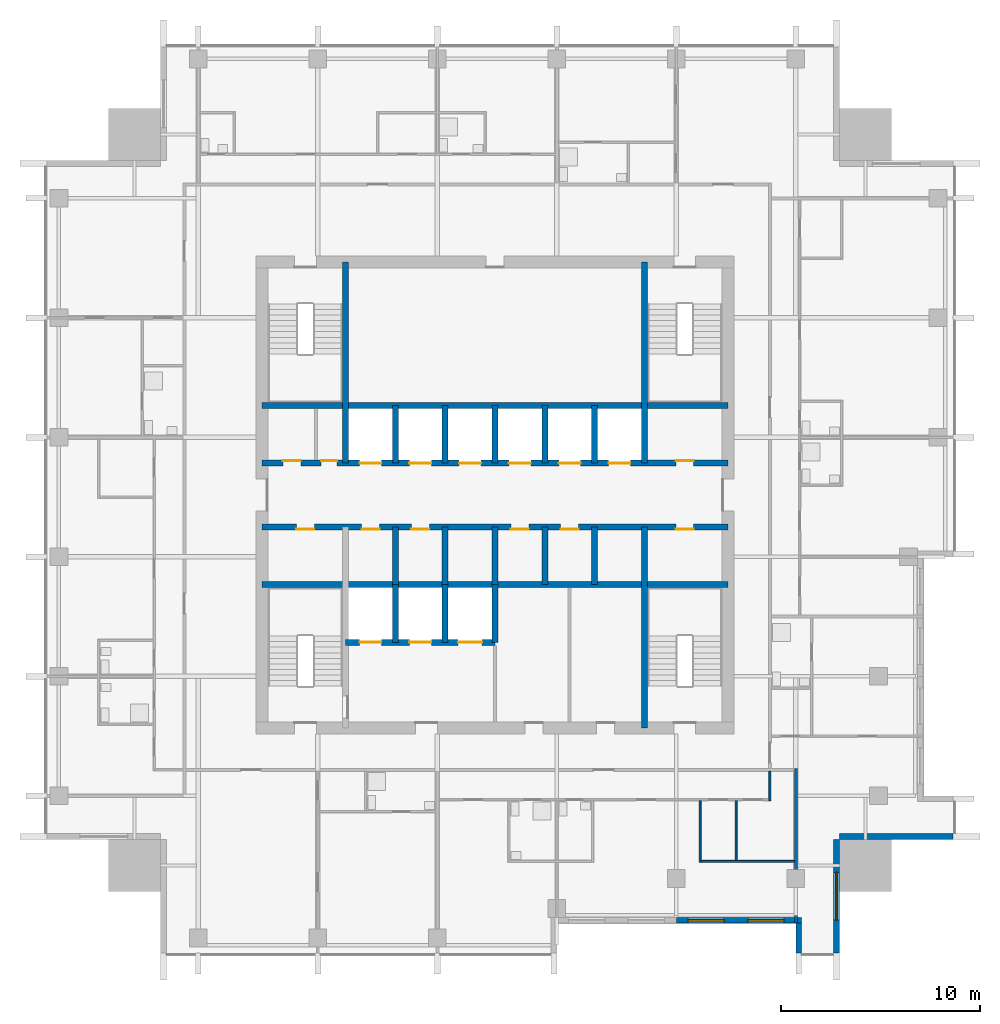
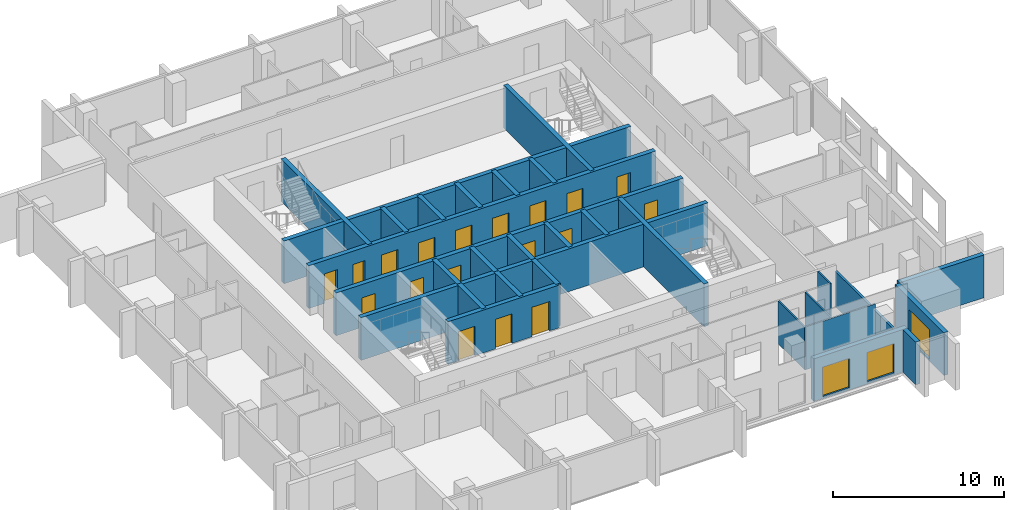
# One storey, part 5 of 11: 30 walls, 18 doors, 3 windows, 21 openings.
"""IFC4 building model written with IfcOpenShell, lengths in metres."""

from ifc_helpers import new_model, si_unit, direction, frame, frame_2d, origin, place, context, subcontext, project, spatial, rectangle, extrude, material, layer, layer_set, type_object, element, fill, save


model = new_model("IFC4")

# Units and contexts
model_context = context("Model", 3, precision=1e-05, world=origin(), true_north=direction((0.0, 1.0)))
body_context = subcontext(model_context, "Body", "Model", "MODEL_VIEW")
ifc_project = project(units=[si_unit("LENGTHUNIT", "METRE"), si_unit("AREAUNIT", "SQUARE_METRE"), si_unit("VOLUMEUNIT", "CUBIC_METRE"), si_unit("PLANEANGLEUNIT", "RADIAN"), si_unit("MASSUNIT", "GRAM", prefix="KILO")], contexts=[model_context])

# Site, building, storey
site_placement = place(None, origin())
site = spatial("IfcSite", under=ifc_project, at=site_placement, CompositionType="ELEMENT")
building_placement = place(site_placement, origin())
building = spatial("IfcBuilding", under=site, at=building_placement, Name="Amberfall Residences", CompositionType="ELEMENT")
storey_placement = place(building_placement, frame((0.0, 0.0, 223.300048828125)))
storey = spatial("IfcBuildingStorey", under=building, at=storey_placement, Name="L60", CompositionType="ELEMENT", Elevation=223.300048828125)

# Wall
ifc_material_1 = material(Name="Pale stone cladding on insulated backing", Category="masonry")
ifc_layer_1 = layer(ifc_material_1, 0.300048828125)
ifc_layer_set_1 = layer_set([ifc_layer_1], Name="Bronze clad wall 300")
wall_type_1 = type_object("IfcWallType", Name="Bronze clad wall 300", PredefinedType="SOLIDWALL", material=ifc_layer_set_1)
wall_1_placement = place(storey_placement, frame((89.75, 24.0, 0.0), z_axis=(0.0, 0.0, 1.0), x_axis=(0.0, -1.0, 0.0)))
element("IfcWall", 1, at=wall_1_placement, inside=storey, type_object=wall_type_1, Name="External wall L60 S", PredefinedType="SOLIDWALL", context=body_context, shape_type="SweptSolid", body=[
    extrude(rectangle(XDim=1.5, YDim=0.300048828125, at=frame_2d((0.75, 0.0))), origin(), (0.0, 0.0, 1.0), 3.050048828125),
])

# Wall, opening, window
wall_2_placement = place(storey_placement, frame((91.64990234375, 22.5, 0.0), z_axis=(0.0, 0.0, 1.0), x_axis=(0.0, 1.0, 0.0)))
wall_2 = element("IfcWall", 2, at=wall_2_placement, inside=storey, type_object=wall_type_1, Name="External wall L60 SE", PredefinedType="SOLIDWALL", context=body_context, shape_type="SweptSolid", body=[
    extrude(rectangle(XDim=5.699951171875, YDim=0.300048828125, at=frame_2d((2.85009765625, 0.0))), origin(), (0.0, 0.0, 1.0), 3.050048828125),
])
opening_1_placement = place(wall_2_placement, frame((1.64990234375, 0.0, 0.14990234375)))
opening_1 = element("IfcOpeningElement", 3, at=opening_1_placement, cuts=wall_2, Name="Opening WN5", PredefinedType="OPENING", context=body_context, shape_type="SweptSolid", body=[
    extrude(rectangle(XDim=2.39990234375, YDim=2.10009765625, at=frame_2d((1.199951171875, 1.050048828125))), frame((0.0, 0.159912109375, 0.0), z_axis=(0.0, -1.0, 0.0), x_axis=(1.0, 0.0, 0.0)), (0.0, 0.0, 1.0), 0.320068359375),
])
ifc_material_2 = material(Name="Bronze aluminium framed glazing", Category="aluminium")
window_type_1 = type_object("IfcWindowType", Name="Glazed opening 2400 x 2100 bronze", PartitioningType="DOUBLE_PANEL_VERTICAL", PredefinedType="WINDOW", material=ifc_material_2)
window_1_placement = place(opening_1_placement, origin())
window_1 = element("IfcWindow", 4, at=window_1_placement, inside=storey, type_object=window_type_1, Name="Window L60 SE", OverallHeight=2.10009765625, OverallWidth=2.39990234375, PartitioningType="DOUBLE_PANEL_VERTICAL", PredefinedType="WINDOW", context=body_context, shape_type="SweptSolid", body=[
    extrude(rectangle(XDim=2.39990234375, YDim=2.10009765625, at=frame_2d((1.199951171875, 1.050048828125))), frame((0.0, 0.030029296875, 0.0), z_axis=(0.0, -1.0, 0.0), x_axis=(1.0, 0.0, 0.0)), (0.0, 0.0, 1.0), 0.06005859375),
])
fill(opening_1, window_1)

# Wall
wall_3_placement = place(storey_placement, frame((91.800048828125, 28.35009765625, 0.0), z_axis=(0.0, 0.0, 1.0), x_axis=(1.0, 0.0, 0.0)))
element("IfcWall", 5, at=wall_3_placement, inside=storey, type_object=wall_type_1, Name="External wall L60 SE", PredefinedType="SOLIDWALL", context=body_context, shape_type="SweptSolid", body=[
    extrude(rectangle(XDim=5.699951171875, YDim=0.300048828125, at=frame_2d((2.85009765625, 0.0))), origin(), (0.0, 0.0, 1.0), 3.050048828125),
])

# Wall, openings, windows
wall_4_placement = place(storey_placement, frame((83.60009765625, 24.14990234375, 0.0), z_axis=(0.0, 0.0, 1.0), x_axis=(1.0, 0.0, 0.0)))
wall_4 = element("IfcWall", 6, at=wall_4_placement, inside=storey, type_object=wall_type_1, Name="Stone wall L60 S", PredefinedType="SOLIDWALL", context=body_context, shape_type="SweptSolid", body=[
    extrude(rectangle(XDim=6.2998046875, YDim=0.300048828125, at=frame_2d((3.14990234375, 0.0))), origin(), (0.0, 0.0, 1.0), 3.050048828125),
])
opening_2_placement = place(wall_4_placement, frame((0.60009765625, 0.0, 0.14990234375)))
opening_2 = element("IfcOpeningElement", 7, at=opening_2_placement, cuts=wall_4, Name="Opening WN6", PredefinedType="OPENING", context=body_context, shape_type="SweptSolid", body=[
    extrude(rectangle(XDim=1.800048828125, YDim=2.10009765625, at=frame_2d((0.89990234375, 1.050048828125))), frame((0.0, 0.159912109375, 0.0), z_axis=(0.0, -1.0, 0.0), x_axis=(1.0, 0.0, 0.0)), (0.0, 0.0, 1.0), 0.320068359375),
])
opening_3_placement = place(wall_4_placement, frame((3.60009765625, 0.0, 0.14990234375)))
opening_3 = element("IfcOpeningElement", 8, at=opening_3_placement, cuts=wall_4, Name="Opening WN6", PredefinedType="OPENING", context=body_context, shape_type="SweptSolid", body=[
    extrude(rectangle(XDim=1.800048828125, YDim=2.10009765625, at=frame_2d((0.89990234375, 1.050048828125))), frame((0.0, 0.159912109375, 0.0), z_axis=(0.0, -1.0, 0.0), x_axis=(1.0, 0.0, 0.0)), (0.0, 0.0, 1.0), 0.320068359375),
])
window_type_2 = type_object("IfcWindowType", Name="Glazed opening 1800 x 2100 bronze", PartitioningType="DOUBLE_PANEL_VERTICAL", PredefinedType="WINDOW", material=ifc_material_2)
window_2_placement = place(opening_2_placement, origin())
window_2 = element("IfcWindow", 9, at=window_2_placement, inside=storey, type_object=window_type_2, Name="Window L60 S", OverallHeight=2.10009765625, OverallWidth=1.800048828125, PartitioningType="DOUBLE_PANEL_VERTICAL", PredefinedType="WINDOW", context=body_context, shape_type="SweptSolid", body=[
    extrude(rectangle(XDim=1.800048828125, YDim=2.10009765625, at=frame_2d((0.89990234375, 1.050048828125))), frame((0.0, 0.030029296875, 0.0), z_axis=(0.0, -1.0, 0.0), x_axis=(1.0, 0.0, 0.0)), (0.0, 0.0, 1.0), 0.06005859375),
])
fill(opening_2, window_2)
window_3_placement = place(opening_3_placement, origin())
window_3 = element("IfcWindow", 10, at=window_3_placement, inside=storey, type_object=window_type_2, Name="Window L60 S", OverallHeight=2.10009765625, OverallWidth=1.800048828125, PartitioningType="DOUBLE_PANEL_VERTICAL", PredefinedType="WINDOW", context=body_context, shape_type="SweptSolid", body=[
    extrude(rectangle(XDim=1.800048828125, YDim=2.10009765625, at=frame_2d((0.89990234375, 1.050048828125))), frame((0.0, 0.030029296875, 0.0), z_axis=(0.0, -1.0, 0.0), x_axis=(1.0, 0.0, 0.0)), (0.0, 0.0, 1.0), 0.06005859375),
])
fill(opening_3, window_3)

# Wall
ifc_material_3 = material(Name="Concrete C55", Category="concrete")
ifc_layer_2 = layer(ifc_material_3, 0.300048828125)
ifc_layer_set_2 = layer_set([ifc_layer_2], Name="Core wall 300 C55")
wall_type_2 = type_object("IfcWallType", Name="Core wall 300 C55", PredefinedType="SHEAR", material=ifc_layer_set_2)
wall_5_placement = place(storey_placement, frame((62.800048828125, 41.0, 0.0), z_axis=(0.0, 0.0, 1.0), x_axis=(1.0, 0.0, 0.0)))
element("IfcWall", 11, at=wall_5_placement, inside=storey, type_object=wall_type_2, Name="Core wall RW8 L60 H75", PredefinedType="SHEAR", context=body_context, shape_type="SweptSolid", body=[
    extrude(rectangle(XDim=23.39990234375, YDim=0.300048828125, at=frame_2d((11.699951171875, 0.0))), origin(), (0.0, 0.0, 1.0), 3.050048828125),
])

# Wall, openings, doors
wall_6_placement = place(storey_placement, frame((62.800048828125, 43.89990234375, 0.0), z_axis=(0.0, 0.0, 1.0), x_axis=(1.0, 0.0, 0.0)))
wall_6 = element("IfcWall", 12, at=wall_6_placement, inside=storey, type_object=wall_type_2, Name="Core wall RW8 L60 H104", PredefinedType="SHEAR", context=body_context, shape_type="SweptSolid", body=[
    extrude(rectangle(XDim=23.39990234375, YDim=0.300048828125, at=frame_2d((11.699951171875, 0.0))), origin(), (0.0, 0.0, 1.0), 3.050048828125),
])
opening_4_placement = place(wall_6_placement, frame((1.72509765625, 0.0, 0.0)))
opening_4 = element("IfcOpeningElement", 13, at=opening_4_placement, cuts=wall_6, Name="Opening RD1", PredefinedType="OPENING", context=body_context, shape_type="SweptSolid", body=[
    extrude(rectangle(XDim=0.89990234375, YDim=2.10009765625, at=frame_2d((0.449951171875, 1.050048828125))), frame((0.0, 0.159912109375, 0.0), z_axis=(0.0, -1.0, 0.0), x_axis=(1.0, 0.0, 0.0)), (0.0, 0.0, 1.0), 0.320068359375),
])
opening_5_placement = place(wall_6_placement, frame((20.77490234375, 0.0, 0.0)))
opening_5 = element("IfcOpeningElement", 14, at=opening_5_placement, cuts=wall_6, Name="Opening RD1", PredefinedType="OPENING", context=body_context, shape_type="SweptSolid", body=[
    extrude(rectangle(XDim=0.89990234375, YDim=2.10009765625, at=frame_2d((0.449951171875, 1.050048828125))), frame((0.0, 0.159912109375, 0.0), z_axis=(0.0, -1.0, 0.0), x_axis=(1.0, 0.0, 0.0)), (0.0, 0.0, 1.0), 0.320068359375),
])
opening_6_placement = place(wall_6_placement, frame((5.0, 0.0, 0.0)))
opening_6 = element("IfcOpeningElement", 15, at=opening_6_placement, cuts=wall_6, Name="Opening RD1", PredefinedType="OPENING", context=body_context, shape_type="SweptSolid", body=[
    extrude(rectangle(XDim=0.89990234375, YDim=2.10009765625, at=frame_2d((0.449951171875, 1.050048828125))), frame((0.0, 0.159912109375, 0.0), z_axis=(0.0, -1.0, 0.0), x_axis=(1.0, 0.0, 0.0)), (0.0, 0.0, 1.0), 0.320068359375),
])
opening_7_placement = place(wall_6_placement, frame((7.5, 0.0, 0.0)))
opening_7 = element("IfcOpeningElement", 16, at=opening_7_placement, cuts=wall_6, Name="Opening RD1", PredefinedType="OPENING", context=body_context, shape_type="SweptSolid", body=[
    extrude(rectangle(XDim=0.89990234375, YDim=2.10009765625, at=frame_2d((0.449951171875, 1.050048828125))), frame((0.0, 0.159912109375, 0.0), z_axis=(0.0, -1.0, 0.0), x_axis=(1.0, 0.0, 0.0)), (0.0, 0.0, 1.0), 0.320068359375),
])
opening_8_placement = place(wall_6_placement, frame((12.5, 0.0, 0.0)))
opening_8 = element("IfcOpeningElement", 17, at=opening_8_placement, cuts=wall_6, Name="Opening RD1", PredefinedType="OPENING", context=body_context, shape_type="SweptSolid", body=[
    extrude(rectangle(XDim=0.89990234375, YDim=2.10009765625, at=frame_2d((0.449951171875, 1.050048828125))), frame((0.0, 0.159912109375, 0.0), z_axis=(0.0, -1.0, 0.0), x_axis=(1.0, 0.0, 0.0)), (0.0, 0.0, 1.0), 0.320068359375),
])
opening_9_placement = place(wall_6_placement, frame((15.0, 0.0, 0.0)))
opening_9 = element("IfcOpeningElement", 18, at=opening_9_placement, cuts=wall_6, Name="Opening RD1", PredefinedType="OPENING", context=body_context, shape_type="SweptSolid", body=[
    extrude(rectangle(XDim=0.89990234375, YDim=2.10009765625, at=frame_2d((0.449951171875, 1.050048828125))), frame((0.0, 0.159912109375, 0.0), z_axis=(0.0, -1.0, 0.0), x_axis=(1.0, 0.0, 0.0)), (0.0, 0.0, 1.0), 0.320068359375),
])
ifc_material_4 = material(Name="Steel fire door set", Category="steel")
door_type_1 = type_object("IfcDoorType", Name="Service room door 900 x 2100", OperationType="SINGLE_SWING_LEFT", PredefinedType="DOOR", material=ifc_material_4)
door_1_placement = place(opening_4_placement, origin())
door_1 = element("IfcDoor", 19, at=door_1_placement, inside=storey, type_object=door_type_1, Name="RD1 L60", OperationType="SINGLE_SWING_LEFT", OverallHeight=2.10009765625, OverallWidth=0.89990234375, PredefinedType="DOOR", context=body_context, shape_type="SweptSolid", body=[
    extrude(rectangle(XDim=0.89990234375, YDim=2.10009765625, at=frame_2d((0.449951171875, 1.050048828125))), frame((0.0, -0.08740234375, 0.0), z_axis=(0.0, -1.0, 0.0), x_axis=(1.0, 0.0, 0.0)), (0.0, 0.0, 1.0), 0.050048828125),
])
fill(opening_4, door_1)
door_2_placement = place(opening_5_placement, origin())
door_2 = element("IfcDoor", 20, at=door_2_placement, inside=storey, type_object=door_type_1, Name="RD1 L60", OperationType="SINGLE_SWING_LEFT", OverallHeight=2.10009765625, OverallWidth=0.89990234375, PredefinedType="DOOR", context=body_context, shape_type="SweptSolid", body=[
    extrude(rectangle(XDim=0.89990234375, YDim=2.10009765625, at=frame_2d((0.449951171875, 1.050048828125))), frame((0.0, -0.08740234375, 0.0), z_axis=(0.0, -1.0, 0.0), x_axis=(1.0, 0.0, 0.0)), (0.0, 0.0, 1.0), 0.050048828125),
])
fill(opening_5, door_2)
door_3_placement = place(opening_6_placement, origin())
door_3 = element("IfcDoor", 21, at=door_3_placement, inside=storey, type_object=door_type_1, Name="RD1 L60", OperationType="SINGLE_SWING_RIGHT", OverallHeight=2.10009765625, OverallWidth=0.89990234375, PredefinedType="DOOR", context=body_context, shape_type="SweptSolid", body=[
    extrude(rectangle(XDim=0.89990234375, YDim=2.10009765625, at=frame_2d((0.449951171875, 1.050048828125))), frame((0.0, -0.08740234375, 0.0), z_axis=(0.0, -1.0, 0.0), x_axis=(1.0, 0.0, 0.0)), (0.0, 0.0, 1.0), 0.050048828125),
])
fill(opening_6, door_3)
door_4_placement = place(opening_7_placement, origin())
door_4 = element("IfcDoor", 22, at=door_4_placement, inside=storey, type_object=door_type_1, Name="RD1 L60", OperationType="SINGLE_SWING_LEFT", OverallHeight=2.10009765625, OverallWidth=0.89990234375, PredefinedType="DOOR", context=body_context, shape_type="SweptSolid", body=[
    extrude(rectangle(XDim=0.89990234375, YDim=2.10009765625, at=frame_2d((0.449951171875, 1.050048828125))), frame((0.0, -0.08740234375, 0.0), z_axis=(0.0, -1.0, 0.0), x_axis=(1.0, 0.0, 0.0)), (0.0, 0.0, 1.0), 0.050048828125),
])
fill(opening_7, door_4)
door_5_placement = place(opening_8_placement, origin())
door_5 = element("IfcDoor", 23, at=door_5_placement, inside=storey, type_object=door_type_1, Name="RD1 L60", OperationType="SINGLE_SWING_LEFT", OverallHeight=2.10009765625, OverallWidth=0.89990234375, PredefinedType="DOOR", context=body_context, shape_type="SweptSolid", body=[
    extrude(rectangle(XDim=0.89990234375, YDim=2.10009765625, at=frame_2d((0.449951171875, 1.050048828125))), frame((0.0, -0.08740234375, 0.0), z_axis=(0.0, -1.0, 0.0), x_axis=(1.0, 0.0, 0.0)), (0.0, 0.0, 1.0), 0.050048828125),
])
fill(opening_8, door_5)
door_6_placement = place(opening_9_placement, origin())
door_6 = element("IfcDoor", 24, at=door_6_placement, inside=storey, type_object=door_type_1, Name="RD1 L60", OperationType="SINGLE_SWING_RIGHT", OverallHeight=2.10009765625, OverallWidth=0.89990234375, PredefinedType="DOOR", context=body_context, shape_type="SweptSolid", body=[
    extrude(rectangle(XDim=0.89990234375, YDim=2.10009765625, at=frame_2d((0.449951171875, 1.050048828125))), frame((0.0, -0.08740234375, 0.0), z_axis=(0.0, -1.0, 0.0), x_axis=(1.0, 0.0, 0.0)), (0.0, 0.0, 1.0), 0.050048828125),
])
fill(opening_9, door_6)

wall_7_placement = place(storey_placement, frame((62.800048828125, 47.10009765625, 0.0), z_axis=(0.0, 0.0, 1.0), x_axis=(1.0, 0.0, 0.0)))
wall_7 = element("IfcWall", 25, at=wall_7_placement, inside=storey, type_object=wall_type_2, Name="Core wall RW8 L60 H136", PredefinedType="SHEAR", context=body_context, shape_type="SweptSolid", body=[
    extrude(rectangle(XDim=23.39990234375, YDim=0.300048828125, at=frame_2d((11.699951171875, 0.0))), origin(), (0.0, 0.0, 1.0), 3.050048828125),
])
opening_10_placement = place(wall_7_placement, frame((1.050048828125, 0.0, 0.0)))
opening_10 = element("IfcOpeningElement", 26, at=opening_10_placement, cuts=wall_7, Name="Opening RD1", PredefinedType="OPENING", context=body_context, shape_type="SweptSolid", body=[
    extrude(rectangle(XDim=0.89990234375, YDim=2.10009765625, at=frame_2d((0.449951171875, 1.050048828125))), frame((0.0, 0.159912109375, 0.0), z_axis=(0.0, -1.0, 0.0), x_axis=(1.0, 0.0, 0.0)), (0.0, 0.0, 1.0), 0.320068359375),
])
opening_11_placement = place(wall_7_placement, frame((2.97509765625, 0.0, 0.0)))
opening_11 = element("IfcOpeningElement", 27, at=opening_11_placement, cuts=wall_7, Name="Opening RD2", PredefinedType="OPENING", context=body_context, shape_type="SweptSolid", body=[
    extrude(rectangle(XDim=0.800048828125, YDim=2.10009765625, at=frame_2d((0.39990234375, 1.050048828125))), frame((0.0, 0.159912109375, 0.0), z_axis=(0.0, -1.0, 0.0), x_axis=(1.0, 0.0, 0.0)), (0.0, 0.0, 1.0), 0.320068359375),
])
opening_12_placement = place(wall_7_placement, frame((20.77490234375, 0.0, 0.0)))
opening_12 = element("IfcOpeningElement", 28, at=opening_12_placement, cuts=wall_7, Name="Opening RD1", PredefinedType="OPENING", context=body_context, shape_type="SweptSolid", body=[
    extrude(rectangle(XDim=0.89990234375, YDim=2.10009765625, at=frame_2d((0.449951171875, 1.050048828125))), frame((0.0, 0.159912109375, 0.0), z_axis=(0.0, -1.0, 0.0), x_axis=(1.0, 0.0, 0.0)), (0.0, 0.0, 1.0), 0.320068359375),
])
opening_13_placement = place(wall_7_placement, frame((4.89990234375, 0.0, 0.0)))
opening_13 = element("IfcOpeningElement", 29, at=opening_13_placement, cuts=wall_7, Name="Opening LD1", PredefinedType="OPENING", context=body_context, shape_type="SweptSolid", body=[
    extrude(rectangle(XDim=1.10009765625, YDim=2.10009765625, at=frame_2d((0.550048828125, 1.050048828125))), frame((0.0, 0.159912109375, 0.0), z_axis=(0.0, -1.0, 0.0), x_axis=(1.0, 0.0, 0.0)), (0.0, 0.0, 1.0), 0.320068359375),
])
opening_14_placement = place(wall_7_placement, frame((7.39990234375, 0.0, 0.0)))
opening_14 = element("IfcOpeningElement", 30, at=opening_14_placement, cuts=wall_7, Name="Opening LD1", PredefinedType="OPENING", context=body_context, shape_type="SweptSolid", body=[
    extrude(rectangle(XDim=1.10009765625, YDim=2.10009765625, at=frame_2d((0.550048828125, 1.050048828125))), frame((0.0, 0.159912109375, 0.0), z_axis=(0.0, -1.0, 0.0), x_axis=(1.0, 0.0, 0.0)), (0.0, 0.0, 1.0), 0.320068359375),
])
opening_15_placement = place(wall_7_placement, frame((9.89990234375, 0.0, 0.0)))
opening_15 = element("IfcOpeningElement", 31, at=opening_15_placement, cuts=wall_7, Name="Opening LD1", PredefinedType="OPENING", context=body_context, shape_type="SweptSolid", body=[
    extrude(rectangle(XDim=1.10009765625, YDim=2.10009765625, at=frame_2d((0.550048828125, 1.050048828125))), frame((0.0, 0.159912109375, 0.0), z_axis=(0.0, -1.0, 0.0), x_axis=(1.0, 0.0, 0.0)), (0.0, 0.0, 1.0), 0.320068359375),
])
opening_16_placement = place(wall_7_placement, frame((12.39990234375, 0.0, 0.0)))
opening_16 = element("IfcOpeningElement", 32, at=opening_16_placement, cuts=wall_7, Name="Opening LD1", PredefinedType="OPENING", context=body_context, shape_type="SweptSolid", body=[
    extrude(rectangle(XDim=1.10009765625, YDim=2.10009765625, at=frame_2d((0.550048828125, 1.050048828125))), frame((0.0, 0.159912109375, 0.0), z_axis=(0.0, -1.0, 0.0), x_axis=(1.0, 0.0, 0.0)), (0.0, 0.0, 1.0), 0.320068359375),
])
opening_17_placement = place(wall_7_placement, frame((14.89990234375, 0.0, 0.0)))
opening_17 = element("IfcOpeningElement", 33, at=opening_17_placement, cuts=wall_7, Name="Opening LD1", PredefinedType="OPENING", context=body_context, shape_type="SweptSolid", body=[
    extrude(rectangle(XDim=1.10009765625, YDim=2.10009765625, at=frame_2d((0.550048828125, 1.050048828125))), frame((0.0, 0.159912109375, 0.0), z_axis=(0.0, -1.0, 0.0), x_axis=(1.0, 0.0, 0.0)), (0.0, 0.0, 1.0), 0.320068359375),
])
opening_18_placement = place(wall_7_placement, frame((17.39990234375, 0.0, 0.0)))
opening_18 = element("IfcOpeningElement", 34, at=opening_18_placement, cuts=wall_7, Name="Opening LD1", PredefinedType="OPENING", context=body_context, shape_type="SweptSolid", body=[
    extrude(rectangle(XDim=1.10009765625, YDim=2.10009765625, at=frame_2d((0.550048828125, 1.050048828125))), frame((0.0, 0.159912109375, 0.0), z_axis=(0.0, -1.0, 0.0), x_axis=(1.0, 0.0, 0.0)), (0.0, 0.0, 1.0), 0.320068359375),
])
door_type_2 = type_object("IfcDoorType", Name="Lift landing door 1100 x 2100", OperationType="DOUBLE_DOOR_SLIDING", PredefinedType="DOOR", material=ifc_material_4)
door_7_placement = place(opening_13_placement, origin())
door_7 = element("IfcDoor", 35, at=door_7_placement, inside=storey, type_object=door_type_2, Name="Landing door HP1 L60", OperationType="DOUBLE_DOOR_SLIDING", OverallHeight=2.10009765625, OverallWidth=1.10009765625, PredefinedType="DOOR", context=body_context, shape_type="SweptSolid", body=[
    extrude(rectangle(XDim=1.10009765625, YDim=2.10009765625, at=frame_2d((0.550048828125, 1.050048828125))), frame((0.0, 0.02490234375, 0.0), z_axis=(0.0, -1.0, 0.0), x_axis=(1.0, 0.0, 0.0)), (0.0, 0.0, 1.0), 0.050048828125),
])
fill(opening_13, door_7)
door_8_placement = place(opening_14_placement, origin())
door_8 = element("IfcDoor", 36, at=door_8_placement, inside=storey, type_object=door_type_2, Name="Landing door HP2 L60", OperationType="DOUBLE_DOOR_SLIDING", OverallHeight=2.10009765625, OverallWidth=1.10009765625, PredefinedType="DOOR", context=body_context, shape_type="SweptSolid", body=[
    extrude(rectangle(XDim=1.10009765625, YDim=2.10009765625, at=frame_2d((0.550048828125, 1.050048828125))), frame((0.0, 0.02490234375, 0.0), z_axis=(0.0, -1.0, 0.0), x_axis=(1.0, 0.0, 0.0)), (0.0, 0.0, 1.0), 0.050048828125),
])
fill(opening_14, door_8)
door_9_placement = place(opening_15_placement, origin())
door_9 = element("IfcDoor", 37, at=door_9_placement, inside=storey, type_object=door_type_2, Name="Landing door HP3 L60", OperationType="DOUBLE_DOOR_SLIDING", OverallHeight=2.10009765625, OverallWidth=1.10009765625, PredefinedType="DOOR", context=body_context, shape_type="SweptSolid", body=[
    extrude(rectangle(XDim=1.10009765625, YDim=2.10009765625, at=frame_2d((0.550048828125, 1.050048828125))), frame((0.0, 0.02490234375, 0.0), z_axis=(0.0, -1.0, 0.0), x_axis=(1.0, 0.0, 0.0)), (0.0, 0.0, 1.0), 0.050048828125),
])
fill(opening_15, door_9)
door_10_placement = place(opening_16_placement, origin())
door_10 = element("IfcDoor", 38, at=door_10_placement, inside=storey, type_object=door_type_2, Name="Landing door HP4 L60", OperationType="DOUBLE_DOOR_SLIDING", OverallHeight=2.10009765625, OverallWidth=1.10009765625, PredefinedType="DOOR", context=body_context, shape_type="SweptSolid", body=[
    extrude(rectangle(XDim=1.10009765625, YDim=2.10009765625, at=frame_2d((0.550048828125, 1.050048828125))), frame((0.0, 0.02490234375, 0.0), z_axis=(0.0, -1.0, 0.0), x_axis=(1.0, 0.0, 0.0)), (0.0, 0.0, 1.0), 0.050048828125),
])
fill(opening_16, door_10)
door_11_placement = place(opening_17_placement, origin())
door_11 = element("IfcDoor", 39, at=door_11_placement, inside=storey, type_object=door_type_2, Name="Landing door HP5 L60", OperationType="DOUBLE_DOOR_SLIDING", OverallHeight=2.10009765625, OverallWidth=1.10009765625, PredefinedType="DOOR", context=body_context, shape_type="SweptSolid", body=[
    extrude(rectangle(XDim=1.10009765625, YDim=2.10009765625, at=frame_2d((0.550048828125, 1.050048828125))), frame((0.0, 0.02490234375, 0.0), z_axis=(0.0, -1.0, 0.0), x_axis=(1.0, 0.0, 0.0)), (0.0, 0.0, 1.0), 0.050048828125),
])
fill(opening_17, door_11)
door_12_placement = place(opening_18_placement, origin())
door_12 = element("IfcDoor", 40, at=door_12_placement, inside=storey, type_object=door_type_2, Name="Landing door HP6 L60", OperationType="DOUBLE_DOOR_SLIDING", OverallHeight=2.10009765625, OverallWidth=1.10009765625, PredefinedType="DOOR", context=body_context, shape_type="SweptSolid", body=[
    extrude(rectangle(XDim=1.10009765625, YDim=2.10009765625, at=frame_2d((0.550048828125, 1.050048828125))), frame((0.0, 0.02490234375, 0.0), z_axis=(0.0, -1.0, 0.0), x_axis=(1.0, 0.0, 0.0)), (0.0, 0.0, 1.0), 0.050048828125),
])
fill(opening_18, door_12)
door_type_3 = type_object("IfcDoorType", Name="Service room door 800 x 2100", OperationType="SINGLE_SWING_LEFT", PredefinedType="DOOR", material=ifc_material_4)
door_13_placement = place(opening_11_placement, origin())
door_13 = element("IfcDoor", 41, at=door_13_placement, inside=storey, type_object=door_type_3, Name="RD2 L60", OperationType="SINGLE_SWING_RIGHT", OverallHeight=2.10009765625, OverallWidth=0.800048828125, PredefinedType="DOOR", context=body_context, shape_type="SweptSolid", body=[
    extrude(rectangle(XDim=0.800048828125, YDim=2.10009765625, at=frame_2d((0.39990234375, 1.050048828125))), frame((0.0, 0.1376953125, 0.0), z_axis=(0.0, -1.0, 0.0), x_axis=(1.0, 0.0, 0.0)), (0.0, 0.0, 1.0), 0.050048828125),
])
fill(opening_11, door_13)
door_14_placement = place(opening_10_placement, origin())
door_14 = element("IfcDoor", 42, at=door_14_placement, inside=storey, type_object=door_type_1, Name="RD1 L60", OperationType="SINGLE_SWING_LEFT", OverallHeight=2.10009765625, OverallWidth=0.89990234375, PredefinedType="DOOR", context=body_context, shape_type="SweptSolid", body=[
    extrude(rectangle(XDim=0.89990234375, YDim=2.10009765625, at=frame_2d((0.449951171875, 1.050048828125))), frame((0.0, 0.1376953125, 0.0), z_axis=(0.0, -1.0, 0.0), x_axis=(1.0, 0.0, 0.0)), (0.0, 0.0, 1.0), 0.050048828125),
])
fill(opening_10, door_14)
door_15_placement = place(opening_12_placement, origin())
door_15 = element("IfcDoor", 43, at=door_15_placement, inside=storey, type_object=door_type_1, Name="RD1 L60", OperationType="SINGLE_SWING_LEFT", OverallHeight=2.10009765625, OverallWidth=0.89990234375, PredefinedType="DOOR", context=body_context, shape_type="SweptSolid", body=[
    extrude(rectangle(XDim=0.89990234375, YDim=2.10009765625, at=frame_2d((0.449951171875, 1.050048828125))), frame((0.0, 0.1376953125, 0.0), z_axis=(0.0, -1.0, 0.0), x_axis=(1.0, 0.0, 0.0)), (0.0, 0.0, 1.0), 0.050048828125),
])
fill(opening_12, door_15)

# Walls
wall_8_placement = place(storey_placement, frame((62.800048828125, 50.0, 0.0), z_axis=(0.0, 0.0, 1.0), x_axis=(1.0, 0.0, 0.0)))
element("IfcWall", 44, at=wall_8_placement, inside=storey, type_object=wall_type_2, Name="Core wall RW8 L60 H165", PredefinedType="SHEAR", context=body_context, shape_type="SweptSolid", body=[
    extrude(rectangle(XDim=23.39990234375, YDim=0.300048828125, at=frame_2d((11.699951171875, 0.0))), origin(), (0.0, 0.0, 1.0), 3.050048828125),
])
for number, where, z_axis, x_axis, name in (
    (45, (67.0, 47.10009765625, 0.0), (0.0, 0.0, 1.0), (0.0, 1.0, 0.0), "Core wall RW8 L60 V45N"),
    (46, (82.0, 33.800048828125, 0.0), (0.0, 0.0, 1.0), (0.0, 1.0, 0.0), "Core wall RW8 L60 V195S"),
    (47, (82.0, 47.10009765625, 0.0), (0.0, 0.0, 1.0), (0.0, 1.0, 0.0), "Core wall RW8 L60 V195N"),
):
    element("IfcWall", number, at=place(storey_placement, frame(where, z_axis=z_axis, x_axis=x_axis)), inside=storey, type_object=wall_type_2, Name=name, PredefinedType="SHEAR", context=body_context, shape_type="SweptSolid", body=[
        extrude(rectangle(XDim=10.099853515625, YDim=0.300048828125, at=frame_2d((5.0498046875, 0.0))), origin(), (0.0, 0.0, 1.0), 3.050048828125),
    ])
for number, where, z_axis, x_axis, name in (
    (48, (69.5, 41.0, 0.0), (0.0, 0.0, 1.0), (0.0, 1.0, 0.0), "Core wall RW8 L60 LPD1"),
    (49, (69.5, 47.10009765625, 0.0), (0.0, 0.0, 1.0), (0.0, 1.0, 0.0), "Core wall RW8 L60 HPD1"),
    (50, (72.0, 41.0, 0.0), (0.0, 0.0, 1.0), (0.0, 1.0, 0.0), "Core wall RW8 L60 LPD2"),
    (51, (72.0, 47.10009765625, 0.0), (0.0, 0.0, 1.0), (0.0, 1.0, 0.0), "Core wall RW8 L60 HPD2"),
    (52, (74.5, 41.0, 0.0), (0.0, 0.0, 1.0), (0.0, 1.0, 0.0), "Core wall RW8 L60 LPD3"),
    (53, (74.5, 47.10009765625, 0.0), (0.0, 0.0, 1.0), (0.0, 1.0, 0.0), "Core wall RW8 L60 HPD3"),
    (54, (77.0, 41.0, 0.0), (0.0, 0.0, 1.0), (0.0, 1.0, 0.0), "Core wall RW8 L60 LPD4"),
    (55, (77.0, 47.10009765625, 0.0), (0.0, 0.0, 1.0), (0.0, 1.0, 0.0), "Core wall RW8 L60 HPD4"),
    (56, (79.5, 41.0, 0.0), (0.0, 0.0, 1.0), (0.0, 1.0, 0.0), "Core wall RW8 L60 LPD5"),
    (57, (79.5, 47.10009765625, 0.0), (0.0, 0.0, 1.0), (0.0, 1.0, 0.0), "Core wall RW8 L60 HPD5"),
):
    element("IfcWall", number, at=place(storey_placement, frame(where, z_axis=z_axis, x_axis=x_axis)), inside=storey, type_object=wall_type_2, Name=name, PredefinedType="SHEAR", context=body_context, shape_type="SweptSolid", body=[
        extrude(rectangle(XDim=2.89990234375, YDim=0.300048828125, at=frame_2d((1.449951171875, 0.0))), origin(), (0.0, 0.0, 1.0), 3.050048828125),
    ])

# Wall, openings, doors
wall_9_placement = place(storey_placement, frame((67.0, 38.10009765625, 0.0), z_axis=(0.0, 0.0, 1.0), x_axis=(1.0, 0.0, 0.0)))
wall_9 = element("IfcWall", 58, at=wall_9_placement, inside=storey, type_object=wall_type_2, Name="Core wall RW8 L60 FFF", PredefinedType="SHEAR", context=body_context, shape_type="SweptSolid", body=[
    extrude(rectangle(XDim=7.5, YDim=0.300048828125, at=frame_2d((3.75, 0.0))), origin(), (0.0, 0.0, 1.0), 3.050048828125),
])
opening_19_placement = place(wall_9_placement, frame((0.699951171875, 0.0, 0.0)))
opening_19 = element("IfcOpeningElement", 59, at=opening_19_placement, cuts=wall_9, Name="Opening LD2", PredefinedType="OPENING", context=body_context, shape_type="SweptSolid", body=[
    extrude(rectangle(XDim=1.10009765625, YDim=2.10009765625, at=frame_2d((0.550048828125, 1.050048828125))), frame((0.0, 0.159912109375, 0.0), z_axis=(0.0, -1.0, 0.0), x_axis=(1.0, 0.0, 0.0)), (0.0, 0.0, 1.0), 0.320068359375),
])
opening_20_placement = place(wall_9_placement, frame((3.199951171875, 0.0, 0.0)))
opening_20 = element("IfcOpeningElement", 60, at=opening_20_placement, cuts=wall_9, Name="Opening LD2", PredefinedType="OPENING", context=body_context, shape_type="SweptSolid", body=[
    extrude(rectangle(XDim=1.10009765625, YDim=2.10009765625, at=frame_2d((0.550048828125, 1.050048828125))), frame((0.0, 0.159912109375, 0.0), z_axis=(0.0, -1.0, 0.0), x_axis=(1.0, 0.0, 0.0)), (0.0, 0.0, 1.0), 0.320068359375),
])
opening_21_placement = place(wall_9_placement, frame((5.64990234375, 0.0, 0.0)))
opening_21 = element("IfcOpeningElement", 61, at=opening_21_placement, cuts=wall_9, Name="Opening LD3", PredefinedType="OPENING", context=body_context, shape_type="SweptSolid", body=[
    extrude(rectangle(XDim=1.199951171875, YDim=2.10009765625, at=frame_2d((0.60009765625, 1.050048828125))), frame((0.0, 0.159912109375, 0.0), z_axis=(0.0, -1.0, 0.0), x_axis=(1.0, 0.0, 0.0)), (0.0, 0.0, 1.0), 0.320068359375),
])
door_type_4 = type_object("IfcDoorType", Name="Firefighting lift landing door 1100 x 2100", OperationType="DOUBLE_DOOR_SLIDING", PredefinedType="DOOR", material=ifc_material_4)
door_16_placement = place(opening_19_placement, origin())
door_16 = element("IfcDoor", 62, at=door_16_placement, inside=storey, type_object=door_type_4, Name="Landing door FF1 L60", OperationType="DOUBLE_DOOR_SLIDING", OverallHeight=2.10009765625, OverallWidth=1.10009765625, PredefinedType="DOOR", context=body_context, shape_type="SweptSolid", body=[
    extrude(rectangle(XDim=1.10009765625, YDim=2.10009765625, at=frame_2d((0.550048828125, 1.050048828125))), frame((0.0, 0.02490234375, 0.0), z_axis=(0.0, -1.0, 0.0), x_axis=(1.0, 0.0, 0.0)), (0.0, 0.0, 1.0), 0.050048828125),
])
fill(opening_19, door_16)
door_17_placement = place(opening_20_placement, origin())
door_17 = element("IfcDoor", 63, at=door_17_placement, inside=storey, type_object=door_type_4, Name="Landing door FF2 L60", OperationType="DOUBLE_DOOR_SLIDING", OverallHeight=2.10009765625, OverallWidth=1.10009765625, PredefinedType="DOOR", context=body_context, shape_type="SweptSolid", body=[
    extrude(rectangle(XDim=1.10009765625, YDim=2.10009765625, at=frame_2d((0.550048828125, 1.050048828125))), frame((0.0, 0.02490234375, 0.0), z_axis=(0.0, -1.0, 0.0), x_axis=(1.0, 0.0, 0.0)), (0.0, 0.0, 1.0), 0.050048828125),
])
fill(opening_20, door_17)
door_type_5 = type_object("IfcDoorType", Name="Service lift landing door 1200 x 2100", OperationType="DOUBLE_DOOR_SLIDING", PredefinedType="DOOR", material=ifc_material_4)
door_18_placement = place(opening_21_placement, origin())
door_18 = element("IfcDoor", 64, at=door_18_placement, inside=storey, type_object=door_type_5, Name="Landing door SL1 L60", OperationType="DOUBLE_DOOR_SLIDING", OverallHeight=2.10009765625, OverallWidth=1.199951171875, PredefinedType="DOOR", context=body_context, shape_type="SweptSolid", body=[
    extrude(rectangle(XDim=1.199951171875, YDim=2.10009765625, at=frame_2d((0.60009765625, 1.050048828125))), frame((0.0, 0.02490234375, 0.0), z_axis=(0.0, -1.0, 0.0), x_axis=(1.0, 0.0, 0.0)), (0.0, 0.0, 1.0), 0.050048828125),
])
fill(opening_21, door_18)

# Walls
for number, where, z_axis, x_axis, name in (
    (65, (69.5, 38.10009765625, 0.0), (0.0, 0.0, 1.0), (0.0, 1.0, 0.0), "Core wall RW8 L60 FFD1"),
    (66, (72.0, 38.10009765625, 0.0), (0.0, 0.0, 1.0), (0.0, 1.0, 0.0), "Core wall RW8 L60 FFD2"),
    (67, (74.5, 38.10009765625, 0.0), (0.0, 0.0, 1.0), (0.0, 1.0, 0.0), "Core wall RW8 L60 FFD3"),
):
    element("IfcWall", number, at=place(storey_placement, frame(where, z_axis=z_axis, x_axis=x_axis)), inside=storey, type_object=wall_type_2, Name=name, PredefinedType="SHEAR", context=body_context, shape_type="SweptSolid", body=[
        extrude(rectangle(XDim=2.89990234375, YDim=0.300048828125, at=frame_2d((1.449951171875, 0.0))), origin(), (0.0, 0.0, 1.0), 3.050048828125),
    ])
ifc_material_5 = material(Name="Gypsum board on metal stud")
ifc_layer_3 = layer(ifc_material_5, 0.10009765625)
ifc_layer_set_3 = layer_set([ifc_layer_3], Name="Flat partition 100")
wall_type_3 = type_object("IfcWallType", Name="Flat partition 100", PredefinedType="PARTITIONING", material=ifc_layer_set_3)
wall_10_placement = place(storey_placement, frame((84.800048828125, 27.050048828125, 0.0), z_axis=(0.0, 0.0, 1.0), x_axis=(0.0, 1.0, 0.0)))
element("IfcWall", 68, at=wall_10_placement, inside=storey, type_object=wall_type_3, Name="Partition 016", PredefinedType="PARTITIONING", context=body_context, shape_type="SweptSolid", body=[
    extrude(rectangle(XDim=3.099853515625, YDim=0.10009765625, at=frame_2d((1.5498046875, 0.0))), origin(), (0.0, 0.0, 1.0), 3.050048828125),
])
wall_11_placement = place(storey_placement, frame((86.60009765625, 27.14990234375, 0.0), z_axis=(0.0, 0.0, 1.0), x_axis=(0.0, 1.0, 0.0)))
element("IfcWall", 69, at=wall_11_placement, inside=storey, type_object=wall_type_3, Name="Partition 017", PredefinedType="PARTITIONING", context=body_context, shape_type="SweptSolid", body=[
    extrude(rectangle(XDim=3.0, YDim=0.10009765625, at=frame_2d((1.5, 0.0))), origin(), (0.0, 0.0, 1.0), 3.050048828125),
])
wall_12_placement = place(storey_placement, frame((88.300048828125, 30.14990234375, 0.0), z_axis=(0.0, 0.0, 1.0), x_axis=(0.0, 1.0, 0.0)))
element("IfcWall", 70, at=wall_12_placement, inside=storey, type_object=wall_type_3, Name="Partition 018", PredefinedType="PARTITIONING", context=body_context, shape_type="SweptSolid", body=[
    extrude(rectangle(XDim=1.47509765625, YDim=0.10009765625, at=frame_2d((0.737548828125, 0.0))), origin(), (0.0, 0.0, 1.0), 3.050048828125),
])
wall_13_placement = place(storey_placement, frame((84.85009765625, 27.10009765625, 0.0), z_axis=(0.0, 0.0, 1.0), x_axis=(1.0, 0.0, 0.0)))
element("IfcWall", 71, at=wall_13_placement, inside=storey, type_object=wall_type_3, Name="Partition 044", PredefinedType="PARTITIONING", context=body_context, shape_type="SweptSolid", body=[
    extrude(rectangle(XDim=4.6748046875, YDim=0.10009765625, at=frame_2d((2.33740234375, 0.0))), origin(), (0.0, 0.0, 1.0), 3.050048828125),
])
ifc_material_6 = material(Name="Blockwork, plastered", Category="masonry")
ifc_layer_4 = layer(ifc_material_6, 0.14990234375)
ifc_layer_set_4 = layer_set([ifc_layer_4], Name="Flat separating wall 150")
wall_type_4 = type_object("IfcWallType", Name="Flat separating wall 150", PredefinedType="PARTITIONING", material=ifc_layer_set_4)
wall_14_placement = place(storey_placement, frame((89.60009765625, 24.0, 0.0), z_axis=(0.0, 0.0, 1.0), x_axis=(0.0, 1.0, 0.0)))
element("IfcWall", 72, at=wall_14_placement, inside=storey, type_object=wall_type_4, Name="Separating wall 050", PredefinedType="PARTITIONING", context=body_context, shape_type="SweptSolid", body=[
    extrude(rectangle(XDim=7.77490234375, YDim=0.14990234375, at=frame_2d((3.887451171875, 0.0))), origin(), (0.0, 0.0, 1.0), 2.515869140625),
])

save(model, "model.ifc")
